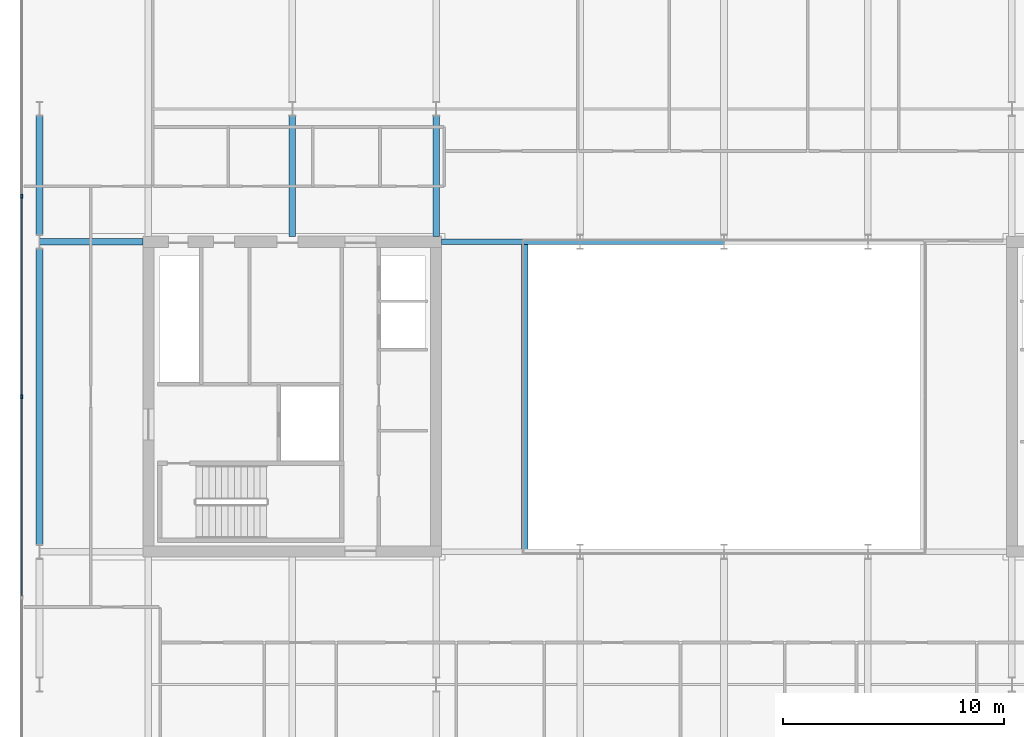
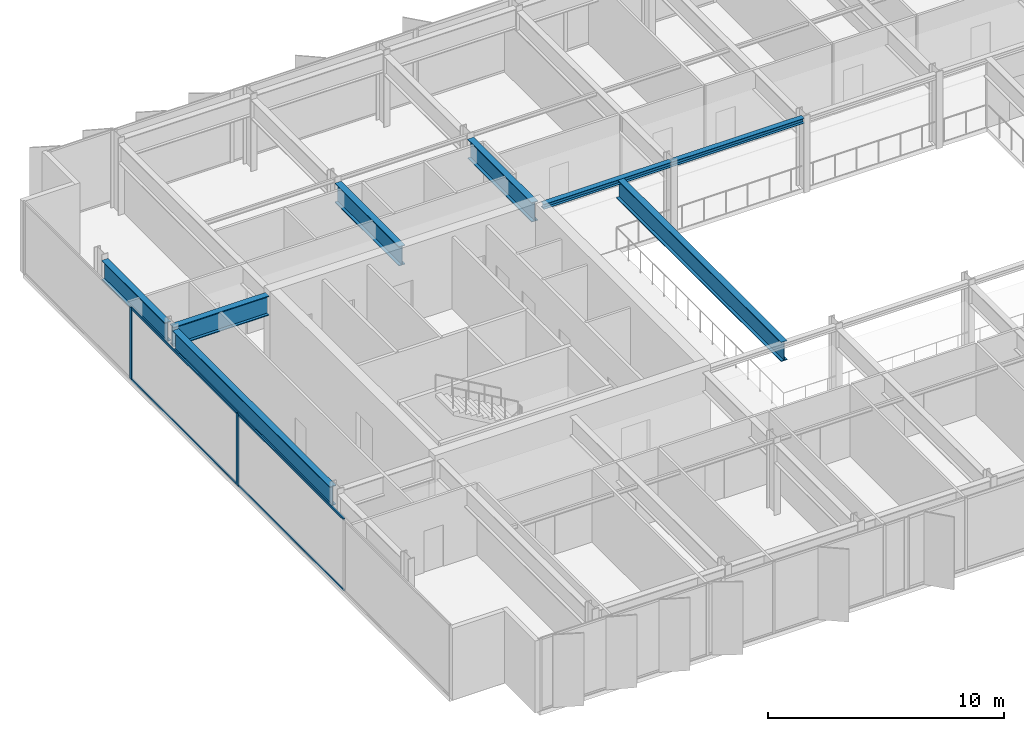
# One storey, part 5 of 20: 8 beams, 6 members, 1 element without a shape of its own.
"""IFC4 building model written with IfcOpenShell, lengths in metres."""

from ifc_helpers import new_model, si_unit, direction, frame, origin, origin_2d, place, context, subcontext, project, spatial, rectangle, i_section, extrude, material, layer, layer_set, material_profile, profile_set, type_object, element, aggregate, save


model = new_model("IFC4")

# Units and contexts
model_context = context("Model", 3, precision=1e-05, world=origin(), true_north=direction((0.0, 1.0)))
body_context = subcontext(model_context, "Body", "Model", "MODEL_VIEW")
ifc_project = project(units=[si_unit("LENGTHUNIT", "METRE"), si_unit("AREAUNIT", "SQUARE_METRE"), si_unit("VOLUMEUNIT", "CUBIC_METRE"), si_unit("PLANEANGLEUNIT", "RADIAN"), si_unit("MASSUNIT", "GRAM", prefix="KILO")], contexts=[model_context])

# Site, building, storey
site_placement = place(None, origin())
site = spatial("IfcSite", under=ifc_project, at=site_placement, CompositionType="ELEMENT")
building_placement = place(site_placement, origin())
building = spatial("IfcBuilding", under=site, at=building_placement, Name="Putna Gate Headquarters", CompositionType="ELEMENT")
storey_placement = place(building_placement, frame((0.0, 0.0, 306.39990234375)))
storey = spatial("IfcBuildingStorey", under=building, at=storey_placement, Name="L77", CompositionType="ELEMENT", Elevation=306.39990234375)

# Beams
ifc_material_1 = material(Name="Steel S355J2", Category="steel")
ifc_material_profile_1 = material_profile(ifc_material_1, i_section(OverallWidth=0.260009765625, OverallDepth=0.260009765625, WebThickness=0.010009765625, FlangeThickness=0.017578125, at=origin_2d()), Name="Steel S355J2")
ifc_profile_set_1 = profile_set([ifc_material_profile_1], Name="Steel S355J2")
beam_type_1 = type_object("IfcBeamType", Name="BM-ATRIUM-HEB260", PredefinedType="BEAM", material=ifc_profile_set_1)
beam_1_placement = place(storey_placement, frame((26.235107421875, 33.0, 3.590087890625), z_axis=(1.0, 0.0, 0.0), x_axis=(0.0, 1.0, 0.0)))
element("IfcBeam", 1, at=beam_1_placement, inside=storey, type_object=beam_type_1, Name="L77 Atrium Edge Beam AN1", PredefinedType="BEAM", context=body_context, shape_type="SweptSolid", body=[
    extrude(i_section(OverallWidth=0.260009765625, OverallDepth=0.260009765625, WebThickness=0.010009765625, FlangeThickness=0.017578125, at=origin_2d()), origin(), (0.0, 0.0, 1.0), 6.2587890625),
])
beam_2_placement = place(storey_placement, frame((32.506103515625, 33.0, 3.590087890625), z_axis=(1.0, 0.0, 0.0), x_axis=(0.0, 1.0, 0.0)))
element("IfcBeam", 2, at=beam_2_placement, inside=storey, type_object=beam_type_1, Name="L77 Atrium Edge Beam AN2", PredefinedType="BEAM", context=body_context, shape_type="SweptSolid", body=[
    extrude(i_section(OverallWidth=0.260009765625, OverallDepth=0.260009765625, WebThickness=0.010009765625, FlangeThickness=0.017578125, at=origin_2d()), origin(), (0.0, 0.0, 1.0), 6.48779296875),
])
ifc_material_2 = material(Name="Steel S460M", Category="steel")
ifc_material_profile_2 = material_profile(ifc_material_2, i_section(OverallWidth=0.302001953125, OverallDepth=1.008056640625, WebThickness=0.02099609375, FlangeThickness=0.0400390625, at=origin_2d()), Name="Steel S460M")
ifc_profile_set_2 = profile_set([ifc_material_profile_2], Name="Steel S460M")
beam_type_2 = type_object("IfcBeamType", Name="BM-TG-HEM1000", PredefinedType="USERDEFINED", material=ifc_profile_set_2)
beam_3_placement = place(storey_placement, frame((8.0859375, 33.0, 3.216064453125), z_axis=(1.0, 0.0, 0.0), x_axis=(0.0, 1.0, 0.0)))
element("IfcBeam", 3, at=beam_3_placement, inside=storey, type_object=beam_type_2, Name="L77 West Wing Girder Y33", ObjectType="GIRDER", PredefinedType="USERDEFINED", context=body_context, shape_type="SweptSolid", body=[
    extrude(i_section(OverallWidth=0.302001953125, OverallDepth=1.008056640625, WebThickness=0.02099609375, FlangeThickness=0.0400390625, at=origin_2d()), origin(), (0.0, 0.0, 1.0), 4.678955078125),
])
for number, where, z_axis, x_axis, name in (
    (4, (19.5, 33.235107421875, 3.216064453125), (0.0, 1.0, 0.0), (-1.0, 0.0, 0.0), "L77 North Primary Girder X19-1"),
    (5, (26.0, 33.235107421875, 3.216064453125), (0.0, 1.0, 0.0), (-1.0, 0.0, 0.0), "L77 North Primary Girder X26-1"),
):
    element("IfcBeam", number, at=place(storey_placement, frame(where, z_axis=z_axis, x_axis=x_axis)), inside=storey, type_object=beam_type_2, Name=name, ObjectType="GIRDER", PredefinedType="USERDEFINED", context=body_context, shape_type="SweptSolid", body=[
        extrude(i_section(OverallWidth=0.302001953125, OverallDepth=1.008056640625, WebThickness=0.02099609375, FlangeThickness=0.0400390625, at=origin_2d()), origin(), (0.0, 0.0, 1.0), 5.44287109375),
    ])
beam_4_placement = place(storey_placement, frame((30.0, 19.010009765625, 3.216064453125), z_axis=(0.0, 1.0, 0.0), x_axis=(-1.0, 0.0, 0.0)))
element("IfcBeam", 6, at=beam_4_placement, inside=storey, type_object=beam_type_2, Name="L77 Atrium Trim Girder AW", ObjectType="GIRDER", PredefinedType="USERDEFINED", context=body_context, shape_type="SweptSolid", body=[
    extrude(i_section(OverallWidth=0.302001953125, OverallDepth=1.008056640625, WebThickness=0.02099609375, FlangeThickness=0.0400390625, at=origin_2d()), origin(), (0.0, 0.0, 1.0), 13.97998046875),
])
ifc_material_profile_3 = material_profile(ifc_material_2, i_section(OverallWidth=0.302001953125, OverallDepth=1.008056640625, WebThickness=0.02099609375, FlangeThickness=0.0400390625, at=origin_2d()), Name="Steel S460M")
ifc_profile_set_3 = profile_set([ifc_material_profile_3], Name="Steel S460M")
beam_type_3 = type_object("IfcBeamType", Name="BM-TG-HEM1000-EXT", PredefinedType="USERDEFINED", material=ifc_profile_set_3)
beam_5_placement = place(storey_placement, frame((8.080078125, 19.322021484375, 3.216064453125), z_axis=(0.0, 1.0, 0.0), x_axis=(-1.0, 0.0, 0.0)))
element("IfcBeam", 7, at=beam_5_placement, inside=storey, type_object=beam_type_3, Name="L77 W End Spandrel 2", ObjectType="GIRDER", PredefinedType="USERDEFINED", context=body_context, shape_type="SweptSolid", body=[
    extrude(i_section(OverallWidth=0.302001953125, OverallDepth=1.008056640625, WebThickness=0.02099609375, FlangeThickness=0.0400390625, at=origin_2d()), origin(), (0.0, 0.0, 1.0), 13.35595703125),
])
beam_6_placement = place(storey_placement, frame((8.080078125, 33.322021484375, 3.216064453125), z_axis=(0.0, 1.0, 0.0), x_axis=(-1.0, 0.0, 0.0)))
element("IfcBeam", 8, at=beam_6_placement, inside=storey, type_object=beam_type_3, Name="L77 W End Spandrel 3", ObjectType="GIRDER", PredefinedType="USERDEFINED", context=body_context, shape_type="SweptSolid", body=[
    extrude(i_section(OverallWidth=0.302001953125, OverallDepth=1.008056640625, WebThickness=0.02099609375, FlangeThickness=0.0400390625, at=origin_2d()), origin(), (0.0, 0.0, 1.0), 5.35595703125),
])

# Curtain wall, members
ifc_material_3 = material(Name="Anodised bronze aluminium curtain wall", Category="aluminium")
ifc_layer = layer(ifc_material_3, 0.179931640625)
ifc_layer_set = layer_set([ifc_layer], Name="Anodised bronze aluminium curtain wall")
curtain_wall_type = type_object("IfcCurtainWallType", Name="CW-SYS-Z5", PredefinedType="USERDEFINED", material=ifc_layer_set)
curtain_wall_placement = place(storey_placement, origin())
curtain_wall = element("IfcCurtainWall", 9, at=curtain_wall_placement, inside=storey, type_object=curtain_wall_type, Name="L77 West Curtain Wall", ObjectType="STICK CURTAIN WALL", PredefinedType="USERDEFINED")
ifc_material_4 = material(Name="Anodised bronze aluminium EN AW-6060", Category="aluminium")
ifc_material_profile_4 = material_profile(ifc_material_4, rectangle(XDim=0.070068359375, YDim=0.179931640625, at=origin_2d()), Name="Anodised bronze aluminium EN AW-6060")
ifc_profile_set_4 = profile_set([ifc_material_profile_4], Name="Anodised bronze aluminium EN AW-6060")
member_type_1 = type_object("IfcMemberType", Name="MULL-CWM-5", PredefinedType="MULLION", material=ifc_profile_set_4)
member_1_placement = place(storey_placement, frame((7.280029296875, 26.0, 0.0), z_axis=(0.0, 0.0, 1.0), x_axis=(-1.0, 0.0, 0.0)))
member_1 = element("IfcMember", 10, at=member_1_placement, type_object=member_type_1, Name="CWS-5 mullion 3", PredefinedType="MULLION", context=body_context, shape_type="SweptSolid", body=[
    extrude(rectangle(XDim=0.070068359375, YDim=0.179931640625, at=origin_2d()), origin(), (0.0, 0.0, 1.0), 3.72021484375),
])
member_2_placement = place(storey_placement, frame((7.280029296875, 35.050048828125, 0.0), z_axis=(0.0, 0.0, 1.0), x_axis=(-1.0, 0.0, 0.0)))
member_2 = element("IfcMember", 11, at=member_2_placement, type_object=member_type_1, Name="CWS-5 mullion 4", PredefinedType="MULLION", context=body_context, shape_type="SweptSolid", body=[
    extrude(rectangle(XDim=0.070068359375, YDim=0.179931640625, at=origin_2d()), origin(), (0.0, 0.0, 1.0), 3.72021484375),
])
ifc_material_profile_5 = material_profile(ifc_material_4, rectangle(XDim=0.06005859375, YDim=0.10009765625, at=origin_2d()), Name="Anodised bronze aluminium EN AW-6060")
ifc_profile_set_5 = profile_set([ifc_material_profile_5], Name="Anodised bronze aluminium EN AW-6060")
member_type_2 = type_object("IfcMemberType", Name="TRAN-CWT-5", PredefinedType="USERDEFINED", material=ifc_profile_set_5)
member_3_placement = place(storey_placement, frame((7.280029296875, 16.985107421875, 0.030029296875), z_axis=(0.0, 1.0, 0.0), x_axis=(-1.0, 0.0, 0.0)))
member_3 = element("IfcMember", 12, at=member_3_placement, type_object=member_type_2, Name="CWS-5 transom 2.1", ObjectType="TRANSOM", PredefinedType="USERDEFINED", context=body_context, shape_type="SweptSolid", body=[
    extrude(rectangle(XDim=0.06005859375, YDim=0.10009765625, at=origin_2d()), origin(), (0.0, 0.0, 1.0), 8.97998046875),
])
member_4_placement = place(storey_placement, frame((7.280029296875, 16.985107421875, 3.690185546875), z_axis=(0.0, 1.0, 0.0), x_axis=(-1.0, 0.0, 0.0)))
member_4 = element("IfcMember", 13, at=member_4_placement, type_object=member_type_2, Name="CWS-5 transom 2.2", ObjectType="TRANSOM", PredefinedType="USERDEFINED", context=body_context, shape_type="SweptSolid", body=[
    extrude(rectangle(XDim=0.06005859375, YDim=0.10009765625, at=origin_2d()), origin(), (0.0, 0.0, 1.0), 8.97998046875),
])
member_5_placement = place(storey_placement, frame((7.280029296875, 26.034912109375, 0.030029296875), z_axis=(0.0, 1.0, 0.0), x_axis=(-1.0, 0.0, 0.0)))
member_5 = element("IfcMember", 14, at=member_5_placement, type_object=member_type_2, Name="CWS-5 transom 3.1", ObjectType="TRANSOM", PredefinedType="USERDEFINED", context=body_context, shape_type="SweptSolid", body=[
    extrude(rectangle(XDim=0.06005859375, YDim=0.10009765625, at=origin_2d()), origin(), (0.0, 0.0, 1.0), 8.97998046875),
])
member_6_placement = place(storey_placement, frame((7.280029296875, 26.034912109375, 3.690185546875), z_axis=(0.0, 1.0, 0.0), x_axis=(-1.0, 0.0, 0.0)))
member_6 = element("IfcMember", 15, at=member_6_placement, type_object=member_type_2, Name="CWS-5 transom 3.2", ObjectType="TRANSOM", PredefinedType="USERDEFINED", context=body_context, shape_type="SweptSolid", body=[
    extrude(rectangle(XDim=0.06005859375, YDim=0.10009765625, at=origin_2d()), origin(), (0.0, 0.0, 1.0), 8.97998046875),
])
aggregate(curtain_wall, [member_1, member_2, member_3, member_4, member_5, member_6])

save(model, "model.ifc")
